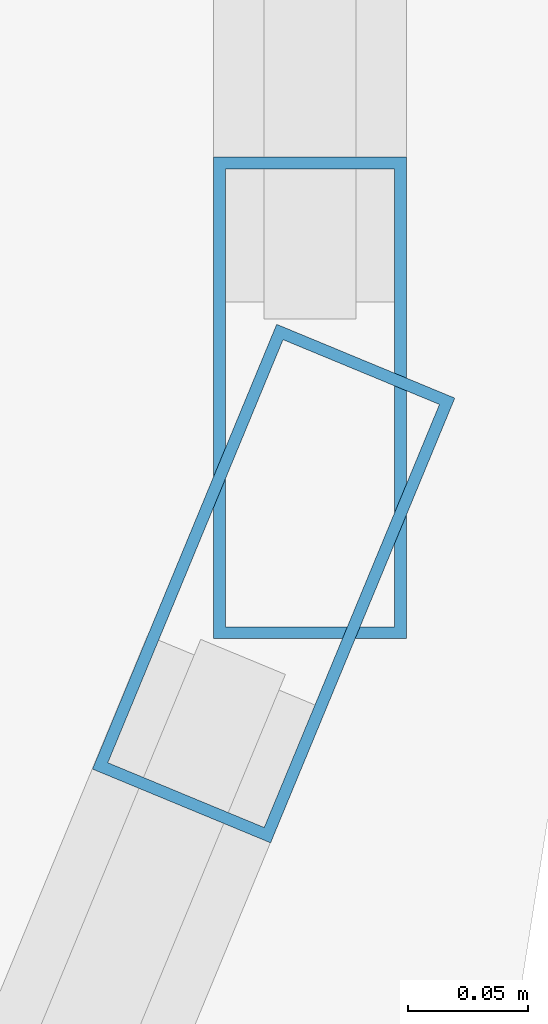
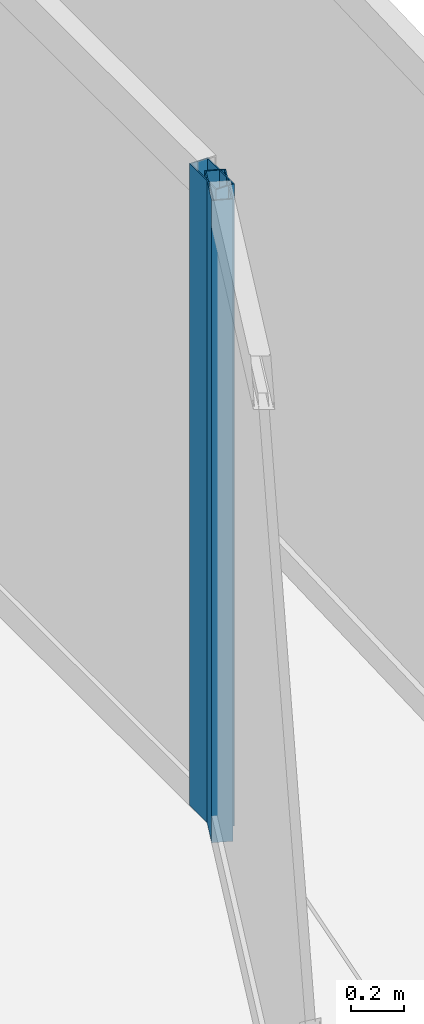
# One storey, part 8 of 21: 2 members, 2 elements without a shape of their own.
"""IFC4 building model written with IfcOpenShell, lengths in metres."""

from ifc_helpers import new_model, si_unit, direction, frame, origin, origin_2d, place, context, subcontext, project, spatial, hollow_rectangle, extrude, source, transform, mapped, material, layer, layer_set, material_profile, profile_set, type_object, element, aggregate, save


model = new_model("IFC4")

# Units and contexts
model_context = context("Model", 3, precision=1e-05, world=origin(), true_north=direction((0.0, 1.0)))
body_context = subcontext(model_context, "Body", "Model", "MODEL_VIEW")
ifc_project = project(units=[si_unit("LENGTHUNIT", "METRE"), si_unit("AREAUNIT", "SQUARE_METRE"), si_unit("VOLUMEUNIT", "CUBIC_METRE"), si_unit("PLANEANGLEUNIT", "RADIAN"), si_unit("MASSUNIT", "GRAM", prefix="KILO")], contexts=[model_context])

# Site, building, storey
site_placement = place(None, origin())
site = spatial("IfcSite", under=ifc_project, at=site_placement, CompositionType="ELEMENT")
building_placement = place(site_placement, origin())
building = spatial("IfcBuilding", under=site, at=building_placement, Name="Kolveth Station Tower", CompositionType="ELEMENT")
storey_placement = place(building_placement, frame((0.0, 0.0, 134.300048828125)))
storey = spatial("IfcBuildingStorey", under=building, at=storey_placement, Name="L37", CompositionType="ELEMENT", Elevation=134.300048828125)

# Curtain wall, member
ifc_material_1 = material(Name="Aluminium 6063-T6 and low-E dark glass", Category="aluminium")
ifc_layer = layer(ifc_material_1, 0.18994140625)
ifc_layer_set = layer_set([ifc_layer], Name="Aluminium 6063-T6 and low-E dark glass")
curtain_wall_type = type_object("IfcCurtainWallType", Name="CurtainWall_CW-Z2", PredefinedType="NOTDEFINED", material=ifc_layer_set)
curtain_wall_1_placement = place(storey_placement, origin())
curtain_wall_1 = element("IfcCurtainWall", 1, at=curtain_wall_1_placement, inside=storey, type_object=curtain_wall_type, Name="L37 Inner Thermal Curtain Wall 2", PredefinedType="NOTDEFINED")
ifc_material_2 = material(Name="Black anodized aluminium 6063-T6", Category="aluminium")
ifc_material_profile = material_profile(ifc_material_2, hollow_rectangle(XDim=0.080078125, YDim=0.199951171875, WallThickness=0.0048828125, at=origin_2d()), Name="ALU-80x200x5")
ifc_profile_set = profile_set([ifc_material_profile], Name="Black anodized aluminium 6063-T6")
member_type = type_object("IfcMemberType", Name="Mullion_ML2", PredefinedType="MULLION", material=ifc_profile_set)
shared_shape = source(origin(), body_context, "Body", "SweptSolid", [
    extrude(hollow_rectangle(XDim=0.080078125, YDim=0.199951171875, WallThickness=0.0048828125, at=origin_2d()), origin(), (0.0, 0.0, 1.0), 2.949951171875),
])
member_1_placement = place(storey_placement, frame((46.86474609375, 3.762939453125, 0.0), z_axis=(0.0, 0.0, 1.0), x_axis=(-0.923887883787, 0.38266326998, 0.0)))
member_1 = element("IfcMember", 2, at=member_1_placement, type_object=member_type, Name="CW-Z2 mullion 2", PredefinedType="MULLION", context=body_context, shape_type="MappedRepresentation", body=[
    mapped(shared_shape, transform((0.0, 0.0, 0.0), x_axis=(1.0, 0.0, 0.0), y_axis=(0.0, 1.0, 0.0), z_axis=(0.0, 0.0, 1.0), scale=1.0)),
])
aggregate(curtain_wall_1, [member_1])

curtain_wall_2_placement = place(storey_placement, origin())
curtain_wall_2 = element("IfcCurtainWall", 3, at=curtain_wall_2_placement, inside=storey, type_object=curtain_wall_type, Name="L37 Inner Thermal Curtain Wall 3", PredefinedType="NOTDEFINED")
member_2_placement = place(storey_placement, frame((46.8798828125, 3.840087890625, 0.0), z_axis=(0.0, 0.0, 1.0), x_axis=(-1.0, 0.0, 0.0)))
member_2 = element("IfcMember", 4, at=member_2_placement, type_object=member_type, Name="CW-Z2 mullion 1", PredefinedType="MULLION", context=body_context, shape_type="MappedRepresentation", body=[
    mapped(shared_shape, transform((0.0, 0.0, 0.0), x_axis=(1.0, 0.0, 0.0), y_axis=(0.0, 1.0, 0.0), z_axis=(0.0, 0.0, 1.0), scale=1.0)),
])
aggregate(curtain_wall_2, [member_2])

save(model, "model.ifc")
